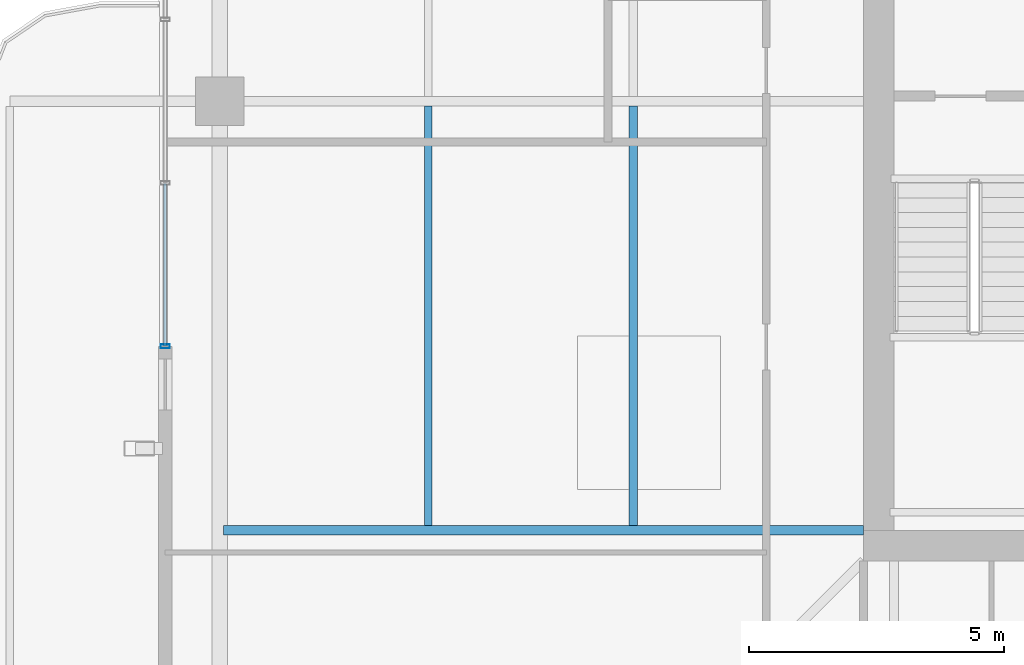
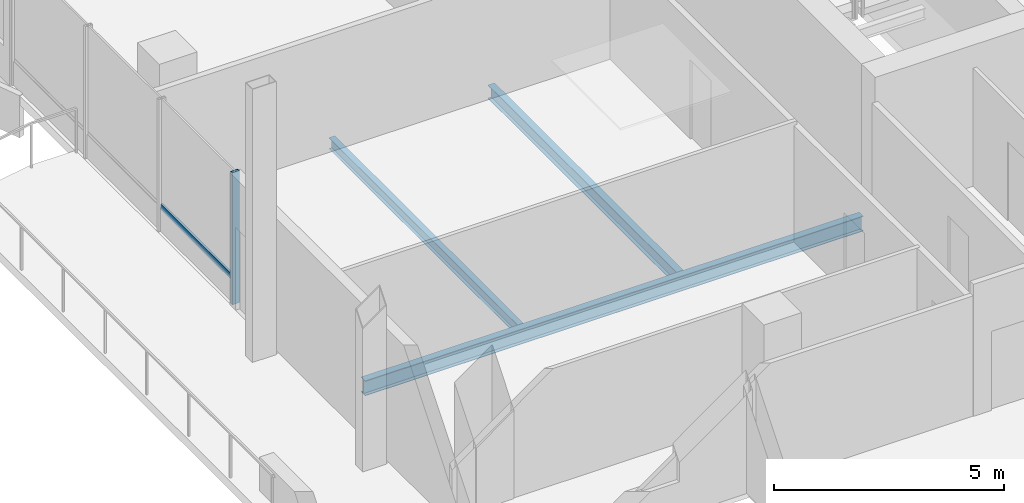
# One storey, part 6 of 20: 3 beams, 2 members, 1 element without a shape of its own.
"""IFC4 building model written with IfcOpenShell, lengths in metres."""

from ifc_helpers import new_model, si_unit, direction, frame, origin, origin_2d, place, context, subcontext, project, spatial, hollow_rectangle, i_section, extrude, material, layer, layer_set, material_profile, profile_set, type_object, element, aggregate, save


model = new_model("IFC4")

# Units and contexts
model_context = context("Model", 3, precision=1e-05, world=origin(), true_north=direction((0.0, 1.0)))
body_context = subcontext(model_context, "Body", "Model", "MODEL_VIEW")
ifc_project = project(units=[si_unit("LENGTHUNIT", "METRE"), si_unit("AREAUNIT", "SQUARE_METRE"), si_unit("VOLUMEUNIT", "CUBIC_METRE"), si_unit("PLANEANGLEUNIT", "RADIAN"), si_unit("MASSUNIT", "GRAM", prefix="KILO")], contexts=[model_context])

# Site, building, storey
site_placement = place(None, origin())
site = spatial("IfcSite", under=ifc_project, at=site_placement, CompositionType="ELEMENT")
building_placement = place(site_placement, origin())
building = spatial("IfcBuilding", under=site, at=building_placement, Name="Belovzor Exchange Tower", CompositionType="ELEMENT")
storey_placement = place(building_placement, frame((0.0, 0.0, 306.75)))
storey = spatial("IfcBuildingStorey", under=building, at=storey_placement, Name="L76", CompositionType="ELEMENT", Elevation=306.75)

# Beams
ifc_material_1 = material(Name="Steel S355", Category="steel")
ifc_material_profile_1 = material_profile(ifc_material_1, i_section(OverallWidth=0.169921875, OverallDepth=0.360107421875, WebThickness=0.008056640625, FlangeThickness=0.0126953125, at=origin_2d()))
ifc_profile_set_1 = profile_set([ifc_material_profile_1], Name="Steel S355")
beam_type_1 = type_object("IfcBeamType", Name="Secondary Infill Floor Joist IPE 360", PredefinedType="BEAM", material=ifc_profile_set_1)
beam_1_placement = place(storey_placement, frame((15.291015625, 20.489990234375, -0.419921875), z_axis=(0.0, 1.0, 0.0), x_axis=(-1.0, 0.0, 0.0)))
element("IfcBeam", 1, at=beam_1_placement, inside=storey, type_object=beam_type_1, Name="FJ-360 Secondary Infill Floor Joist IPE 360", PredefinedType="BEAM", context=body_context, shape_type="SweptSolid", body=[
    extrude(i_section(OverallWidth=0.169921875, OverallDepth=0.360107421875, WebThickness=0.008056640625, FlangeThickness=0.0126953125, at=origin_2d()), origin(), (0.0, 0.0, 1.0), 8.219970703125),
])
ifc_material_2 = material(Name="Steel S355", Category="steel")
ifc_material_profile_2 = material_profile(ifc_material_2, i_section(OverallWidth=0.14990234375, OverallDepth=0.300048828125, WebThickness=0.007080078125, FlangeThickness=0.0107421875, at=origin_2d()))
ifc_profile_set_2 = profile_set([ifc_material_profile_2], Name="Steel S355")
beam_type_2 = type_object("IfcBeamType", Name="Secondary Trim Floor Joist IPE 300", PredefinedType="BEAM", material=ifc_profile_set_2)
beam_2_placement = place(storey_placement, frame((11.282958984375, 20.489990234375, -0.389892578125), z_axis=(0.0, 1.0, 0.0), x_axis=(-1.0, 0.0, 0.0)))
element("IfcBeam", 2, at=beam_2_placement, inside=storey, type_object=beam_type_2, Name="FJ-300 Secondary Trim Floor Joist IPE 300", PredefinedType="BEAM", context=body_context, shape_type="SweptSolid", body=[
    extrude(i_section(OverallWidth=0.14990234375, OverallDepth=0.300048828125, WebThickness=0.007080078125, FlangeThickness=0.0107421875, at=origin_2d()), origin(), (0.0, 0.0, 1.0), 8.219970703125),
])

# Curtain wall, members
ifc_material_3 = material(Name="Anodised Aluminium Framing", Category="aluminium")
ifc_layer = layer(ifc_material_3, 0.179931640625)
ifc_layer_set = layer_set([ifc_layer], Name="Anodised Aluminium Framing")
curtain_wall_type = type_object("IfcCurtainWallType", Name="Recessed Loggia Low-Iron Triple-Glazed Curtain Wall", PredefinedType="NOTDEFINED", material=ifc_layer_set)
curtain_wall_placement = place(storey_placement, origin())
curtain_wall = element("IfcCurtainWall", 3, at=curtain_wall_placement, inside=storey, type_object=curtain_wall_type, Name="CW3 Recessed Loggia Low-Iron Triple-Glazed Curtain Wall L76", PredefinedType="NOTDEFINED")
ifc_material_4 = material(Name="Steel S355", Category="steel")
ifc_material_profile_3 = material_profile(ifc_material_4, hollow_rectangle(XDim=0.074951171875, YDim=0.179931640625, WallThickness=0.0048828125, at=origin_2d()))
ifc_profile_set_3 = profile_set([ifc_material_profile_3], Name="Steel S355")
member_type_1 = type_object("IfcMemberType", Name="Thermally Broken Curtain Wall Mullion 180x75", PredefinedType="MULLION", material=ifc_profile_set_3)
member_1_placement = place(storey_placement, frame((6.1298828125, 24.0, 0.0), z_axis=(0.0, 0.0, 1.0), x_axis=(0.0, 1.0, 0.0)))
member_1 = element("IfcMember", 4, at=member_1_placement, type_object=member_type_1, Name="CW-M180 Curtain Wall Mullion 1", PredefinedType="MULLION", context=body_context, shape_type="SweptSolid", body=[
    extrude(hollow_rectangle(XDim=0.074951171875, YDim=0.179931640625, WallThickness=0.0048828125, at=origin_2d()), origin(), (0.0, 0.0, 1.0), 3.510009765625),
])
ifc_material_5 = material(Name="Steel S355", Category="steel")
ifc_material_profile_4 = material_profile(ifc_material_5, hollow_rectangle(XDim=0.06005859375, YDim=0.14990234375, WallThickness=0.00390625, at=origin_2d()))
ifc_profile_set_4 = profile_set([ifc_material_profile_4], Name="Steel S355")
member_type_2 = type_object("IfcMemberType", Name="Thermally Broken Curtain Wall Transom 150x60", PredefinedType="USERDEFINED", material=ifc_profile_set_4)
member_2_placement = place(storey_placement, frame((6.1298828125, 24.008056640625, 0.632080078125), z_axis=(0.0, 1.0, 0.0), x_axis=(-1.0, 0.0, 0.0)))
member_2 = element("IfcMember", 5, at=member_2_placement, type_object=member_type_2, Name="CW-T150 Curtain Wall Transom 1", ObjectType="TRANSOM", PredefinedType="USERDEFINED", context=body_context, shape_type="SweptSolid", body=[
    extrude(hollow_rectangle(XDim=0.06005859375, YDim=0.14990234375, WallThickness=0.00390625, at=origin_2d()), origin(), (0.0, 0.0, 1.0), 3.183837890625),
])
aggregate(curtain_wall, [member_1, member_2])

# Beam
ifc_material_6 = material(Name="Steel S355", Category="steel")
ifc_material_profile_5 = material_profile(ifc_material_6, i_section(OverallWidth=0.179931640625, OverallDepth=0.39990234375, WebThickness=0.008544921875, FlangeThickness=0.013427734375, at=origin_2d()))
ifc_profile_set_5 = profile_set([ifc_material_profile_5], Name="Steel S355")
beam_type_3 = type_object("IfcBeamType", Name="Zone 5-6 Radial Composite Floor Beam IPE 400", PredefinedType="BEAM", material=ifc_profile_set_5)
beam_3_placement = place(storey_placement, frame((19.800048828125, 20.39990234375, -0.43994140625), z_axis=(-1.0, 0.0, 0.0), x_axis=(0.0, -1.0, 0.0)))
element("IfcBeam", 6, at=beam_3_placement, inside=storey, type_object=beam_type_3, Name="FB-400 Zone 5-6 Radial Composite Floor Beam IPE 400", PredefinedType="BEAM", context=body_context, shape_type="SweptSolid", body=[
    extrude(i_section(OverallWidth=0.179931640625, OverallDepth=0.39990234375, WebThickness=0.008544921875, FlangeThickness=0.013427734375, at=origin_2d()), origin(), (0.0, 0.0, 1.0), 12.525146484375),
])

save(model, "model.ifc")
